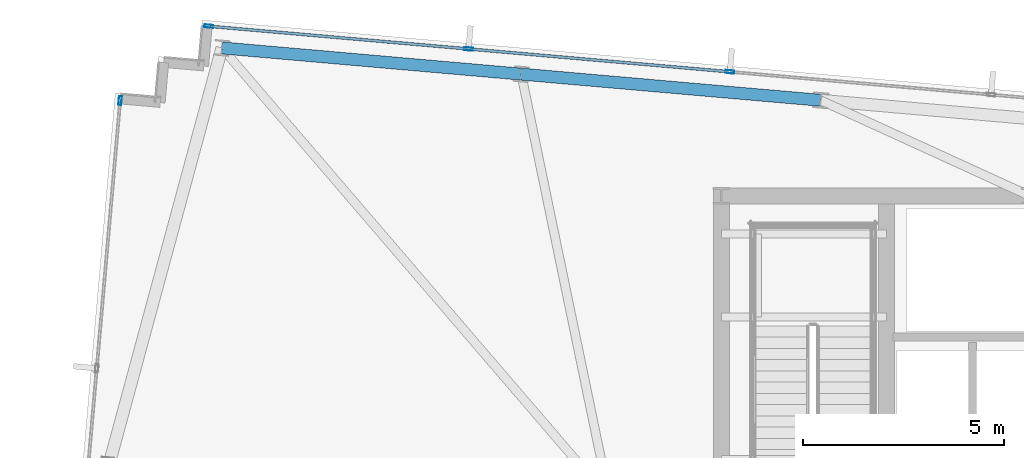
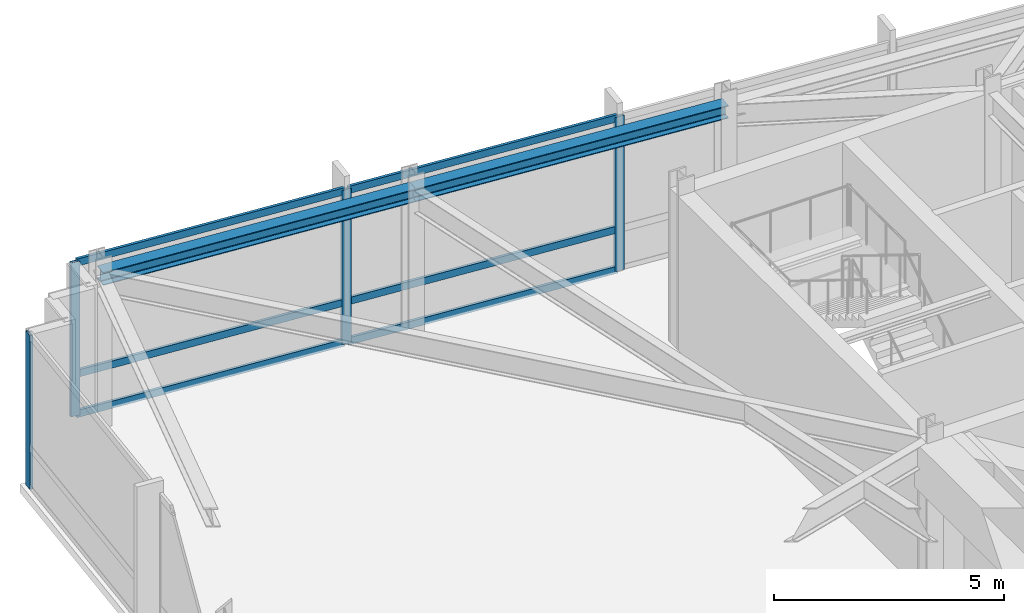
# One storey, part 16 of 25: 10 members, 2 beams, 2 elements without a shape of their own.
"""IFC4 building model written with IfcOpenShell, lengths in metres."""

from ifc_helpers import new_model, si_unit, direction, frame, origin, origin_2d, place, context, subcontext, project, spatial, hollow_rectangle, i_section, extrude, material, material_profile, profile_set, type_object, element, aggregate, save


model = new_model("IFC4")

# Units and contexts
model_context = context("Model", 3, precision=1e-05, world=origin(), true_north=direction((0.0, 1.0)))
body_context = subcontext(model_context, "Body", "Model", "MODEL_VIEW")
ifc_project = project(units=[si_unit("LENGTHUNIT", "METRE"), si_unit("AREAUNIT", "SQUARE_METRE"), si_unit("VOLUMEUNIT", "CUBIC_METRE"), si_unit("PLANEANGLEUNIT", "RADIAN"), si_unit("MASSUNIT", "GRAM", prefix="KILO")], contexts=[model_context])

# Site, building, storey
site_placement = place(None, origin())
site = spatial("IfcSite", under=ifc_project, at=site_placement, CompositionType="ELEMENT")
building_placement = place(site_placement, origin())
building = spatial("IfcBuilding", under=site, at=building_placement, Name="Yelkora Congress Tower", CompositionType="ELEMENT")
storey_placement = place(building_placement, frame((0.0, 0.0, 299.89990234375)))
storey = spatial("IfcBuildingStorey", under=building, at=storey_placement, Name="L84", CompositionType="ELEMENT", Elevation=299.89990234375)

# Beams
ifc_material_1 = material(Name="Steel S355J2", Category="steel")
ifc_material_profile_1 = material_profile(ifc_material_1, i_section(OverallWidth=0.300048828125, OverallDepth=0.340087890625, WebThickness=0.011962890625, FlangeThickness=0.021484375, FilletRadius=0.027099609375, at=origin_2d()), Name="HEB 340")
ifc_profile_set_1 = profile_set([ifc_material_profile_1], Name="Steel S355J2")
beam_type = type_object("IfcBeamType", Name="BM-SPAN-HEB340", PredefinedType="SPANDREL", material=ifc_profile_set_1)
beam_1_placement = place(storey_placement, frame((25.513916015625, 48.57958984375, 3.91015625), z_axis=(-0.996196266663, 0.087137812034, 0.0), x_axis=(-0.087137812034, -0.996196266663, 0.0)))
element("IfcBeam", 1, at=beam_1_placement, inside=storey, type_object=beam_type, Name="L84 Perimeter Beam 11", PredefinedType="SPANDREL", context=body_context, shape_type="SweptSolid", body=[
    extrude(i_section(OverallWidth=0.300048828125, OverallDepth=0.340087890625, WebThickness=0.011962890625, FlangeThickness=0.021484375, FilletRadius=0.027099609375, at=origin_2d()), origin(), (0.0, 0.0, 1.0), 7.483642578125),
])
beam_2_placement = place(storey_placement, frame((18.058837890625, 49.231689453125, 3.91015625), z_axis=(-0.996193186297, 0.08717302092, 0.0), x_axis=(-0.08717302092, -0.996193186297, 0.0)))
element("IfcBeam", 2, at=beam_2_placement, inside=storey, type_object=beam_type, Name="L84 Perimeter Beam 12", PredefinedType="SPANDREL", context=body_context, shape_type="SweptSolid", body=[
    extrude(i_section(OverallWidth=0.300048828125, OverallDepth=0.340087890625, WebThickness=0.011962890625, FlangeThickness=0.021484375, FilletRadius=0.027099609375, at=origin_2d()), origin(), (0.0, 0.0, 1.0), 7.4833984375),
])

# Curtain wall, member
ifc_material_2 = material(Name="Anodised aluminium and insulated glass", Category="aluminium")
curtain_wall_type = type_object("IfcCurtainWallType", Name="CW-SYS-SKY", PredefinedType="NOTDEFINED", material=ifc_material_2)
curtain_wall_1_placement = place(storey_placement, origin())
curtain_wall_1 = element("IfcCurtainWall", 3, at=curtain_wall_1_placement, inside=storey, type_object=curtain_wall_type, Name="L84 Unitised Curtain Wall 5", PredefinedType="NOTDEFINED")
ifc_material_3 = material(Name="Anodised aluminium 6063-T6", Category="aluminium")
ifc_material_profile_2 = material_profile(ifc_material_3, hollow_rectangle(XDim=0.074951171875, YDim=0.219970703125, WallThickness=0.0048828125, at=origin_2d()), Name="ALU 75x220x5")
ifc_profile_set_2 = profile_set([ifc_material_profile_2], Name="Anodised aluminium 6063-T6")
member_type_1 = type_object("IfcMemberType", Name="MEM-ML-SKY", PredefinedType="MULLION", material=ifc_profile_set_2)
member_1_placement = place(storey_placement, frame((8.070068359375, 48.572265625, 0.0), z_axis=(0.0, 0.0, 1.0), x_axis=(-0.996194785929, 0.08715473876, 0.0)))
member_1 = element("IfcMember", 4, at=member_1_placement, type_object=member_type_1, Name="CW-SKY mullion 5", PredefinedType="MULLION", context=body_context, shape_type="SweptSolid", body=[
    extrude(hollow_rectangle(XDim=0.074951171875, YDim=0.219970703125, WallThickness=0.0048828125, at=origin_2d()), origin(), (0.0, 0.0, 1.0), 4.080078125),
])
aggregate(curtain_wall_1, [member_1])

# Curtain wall, members
curtain_wall_2_placement = place(storey_placement, origin())
curtain_wall_2 = element("IfcCurtainWall", 5, at=curtain_wall_2_placement, inside=storey, type_object=curtain_wall_type, Name="L84 Unitised Curtain Wall 10", PredefinedType="NOTDEFINED")
member_2_placement = place(storey_placement, frame((10.27734375, 50.424560546875, 0.0), z_axis=(0.0, 0.0, 1.0), x_axis=(0.087156639893, 0.996194619601, 0.0)))
member_2 = element("IfcMember", 6, at=member_2_placement, type_object=member_type_1, Name="CW-SKY mullion 1", PredefinedType="MULLION", context=body_context, shape_type="SweptSolid", body=[
    extrude(hollow_rectangle(XDim=0.074951171875, YDim=0.219970703125, WallThickness=0.0048828125, at=origin_2d()), origin(), (0.0, 0.0, 1.0), 4.080078125),
])
member_3_placement = place(storey_placement, frame((16.74658203125, 49.858642578125, 0.0), z_axis=(0.0, 0.0, 1.0), x_axis=(0.087156639893, 0.996194619601, 0.0)))
member_3 = element("IfcMember", 7, at=member_3_placement, type_object=member_type_1, Name="CW-SKY mullion 2", PredefinedType="MULLION", context=body_context, shape_type="SweptSolid", body=[
    extrude(hollow_rectangle(XDim=0.074951171875, YDim=0.219970703125, WallThickness=0.0048828125, at=origin_2d()), origin(), (0.0, 0.0, 1.0), 4.080078125),
])
member_4_placement = place(storey_placement, frame((23.253173828125, 49.289306640625, 0.0), z_axis=(0.0, 0.0, 1.0), x_axis=(0.087156639893, 0.996194619601, 0.0)))
member_4 = element("IfcMember", 8, at=member_4_placement, type_object=member_type_1, Name="CW-SKY mullion 3", PredefinedType="MULLION", context=body_context, shape_type="SweptSolid", body=[
    extrude(hollow_rectangle(XDim=0.074951171875, YDim=0.219970703125, WallThickness=0.0048828125, at=origin_2d()), origin(), (0.0, 0.0, 1.0), 4.080078125),
])
ifc_material_profile_3 = material_profile(ifc_material_3, hollow_rectangle(XDim=0.070068359375, YDim=0.18994140625, WallThickness=0.00390625, at=origin_2d()), Name="ALU 70x190x4")
ifc_profile_set_3 = profile_set([ifc_material_profile_3], Name="Anodised aluminium 6063-T6")
member_type_2 = type_object("IfcMemberType", Name="MEM-TR-SKY", PredefinedType="USERDEFINED", material=ifc_profile_set_3)
member_5_placement = place(storey_placement, frame((10.314697265625, 50.421142578125, 0.03515625), z_axis=(0.996196359216, -0.087136753931, 0.0), x_axis=(0.087136753931, 0.996196359216, 0.0)))
member_5 = element("IfcMember", 9, at=member_5_placement, type_object=member_type_2, Name="CW-SKY transom 1.1", ObjectType="TRANSOM", PredefinedType="USERDEFINED", context=body_context, shape_type="SweptSolid", body=[
    extrude(hollow_rectangle(XDim=0.070068359375, YDim=0.18994140625, WallThickness=0.00390625, at=origin_2d()), origin(), (0.0, 0.0, 1.0), 6.4189453125),
])
member_6_placement = place(storey_placement, frame((10.314697265625, 50.421142578125, 1.10009765625), z_axis=(0.996196359216, -0.087136753931, 0.0), x_axis=(0.087136753931, 0.996196359216, 0.0)))
member_6 = element("IfcMember", 10, at=member_6_placement, type_object=member_type_2, Name="CW-SKY transom 1.2", ObjectType="TRANSOM", PredefinedType="USERDEFINED", context=body_context, shape_type="SweptSolid", body=[
    extrude(hollow_rectangle(XDim=0.070068359375, YDim=0.18994140625, WallThickness=0.00390625, at=origin_2d()), origin(), (0.0, 0.0, 1.0), 6.4189453125),
])
member_7_placement = place(storey_placement, frame((10.314697265625, 50.421142578125, 4.045166015625), z_axis=(0.996196359216, -0.087136753931, 0.0), x_axis=(0.087136753931, 0.996196359216, 0.0)))
member_7 = element("IfcMember", 11, at=member_7_placement, type_object=member_type_2, Name="CW-SKY transom 1.3", ObjectType="TRANSOM", PredefinedType="USERDEFINED", context=body_context, shape_type="SweptSolid", body=[
    extrude(hollow_rectangle(XDim=0.070068359375, YDim=0.18994140625, WallThickness=0.00390625, at=origin_2d()), origin(), (0.0, 0.0, 1.0), 6.4189453125),
])
member_8_placement = place(storey_placement, frame((16.783935546875, 49.855224609375, 0.03515625), z_axis=(0.996194333134, -0.087159914135, 0.0), x_axis=(0.087159914135, 0.996194333134, 0.0)))
member_8 = element("IfcMember", 12, at=member_8_placement, type_object=member_type_2, Name="CW-SKY transom 2.1", ObjectType="TRANSOM", PredefinedType="USERDEFINED", context=body_context, shape_type="SweptSolid", body=[
    extrude(hollow_rectangle(XDim=0.070068359375, YDim=0.18994140625, WallThickness=0.00390625, at=origin_2d()), origin(), (0.0, 0.0, 1.0), 6.45654296875),
])
member_9_placement = place(storey_placement, frame((16.783935546875, 49.855224609375, 1.10009765625), z_axis=(0.996194333134, -0.087159914135, 0.0), x_axis=(0.087159914135, 0.996194333134, 0.0)))
member_9 = element("IfcMember", 13, at=member_9_placement, type_object=member_type_2, Name="CW-SKY transom 2.2", ObjectType="TRANSOM", PredefinedType="USERDEFINED", context=body_context, shape_type="SweptSolid", body=[
    extrude(hollow_rectangle(XDim=0.070068359375, YDim=0.18994140625, WallThickness=0.00390625, at=origin_2d()), origin(), (0.0, 0.0, 1.0), 6.45654296875),
])
member_10_placement = place(storey_placement, frame((16.783935546875, 49.855224609375, 4.045166015625), z_axis=(0.996194333134, -0.087159914135, 0.0), x_axis=(0.087159914135, 0.996194333134, 0.0)))
member_10 = element("IfcMember", 14, at=member_10_placement, type_object=member_type_2, Name="CW-SKY transom 2.3", ObjectType="TRANSOM", PredefinedType="USERDEFINED", context=body_context, shape_type="SweptSolid", body=[
    extrude(hollow_rectangle(XDim=0.070068359375, YDim=0.18994140625, WallThickness=0.00390625, at=origin_2d()), origin(), (0.0, 0.0, 1.0), 6.45654296875),
])
aggregate(curtain_wall_2, [member_2, member_3, member_4, member_5, member_6, member_7, member_8, member_9, member_10])

save(model, "model.ifc")
